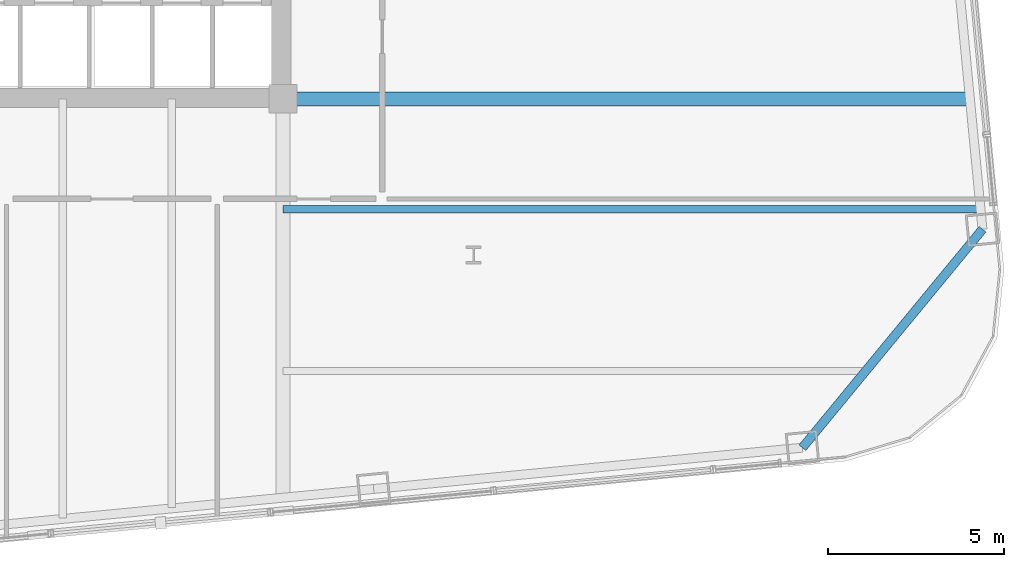
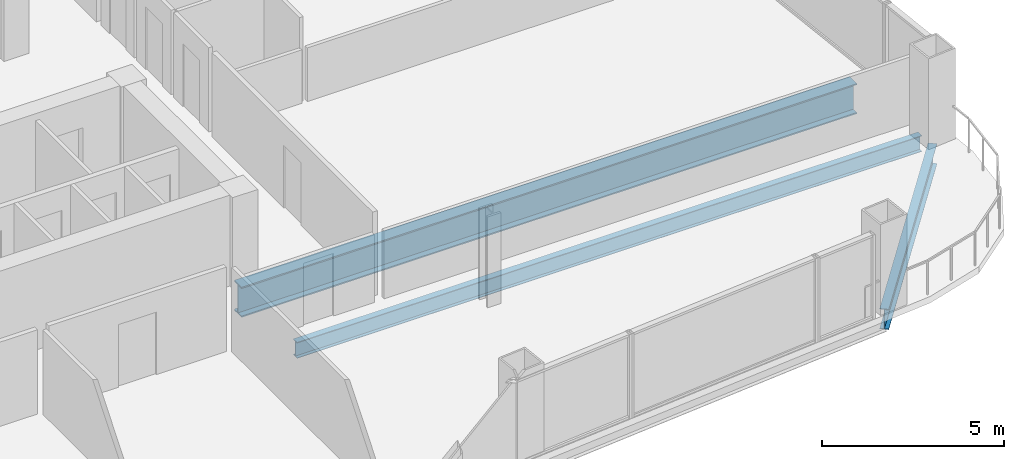
# One storey, part 11 of 28: 3 beams.
"""IFC4 building model written with IfcOpenShell, lengths in metres."""

from ifc_helpers import new_model, si_unit, direction, frame, origin, origin_2d, place, context, subcontext, project, spatial, i_section, extrude, material, material_profile, profile_set, type_object, element, save


model = new_model("IFC4")

# Units and contexts
model_context = context("Model", 3, precision=1e-05, world=origin(), true_north=direction((0.0, 1.0)))
body_context = subcontext(model_context, "Body", "Model", "MODEL_VIEW")
ifc_project = project(units=[si_unit("LENGTHUNIT", "METRE"), si_unit("AREAUNIT", "SQUARE_METRE"), si_unit("VOLUMEUNIT", "CUBIC_METRE"), si_unit("PLANEANGLEUNIT", "RADIAN"), si_unit("MASSUNIT", "GRAM", prefix="KILO")], contexts=[model_context])

# Site, building, storey
site_placement = place(None, origin())
site = spatial("IfcSite", under=ifc_project, at=site_placement, CompositionType="ELEMENT")
building_placement = place(site_placement, origin())
building = spatial("IfcBuilding", under=site, at=building_placement, Name="Qhalaya Broadcast Tower", CompositionType="ELEMENT")
storey_placement = place(building_placement, frame((0.0, 0.0, 90.800048828125)))
storey = spatial("IfcBuildingStorey", under=building, at=storey_placement, Name="L26", CompositionType="ELEMENT", Elevation=90.800048828125)

# Beams
ifc_material = material(Name="Structural Steel ASTM A992 Grade 50", Category="steel")
ifc_material_profile_1 = material_profile(ifc_material, i_section(OverallWidth=0.2099609375, OverallDepth=0.535888671875, WebThickness=0.010986328125, FlangeThickness=0.017333984375, at=origin_2d()), Name="W21X68")
ifc_profile_set_1 = profile_set([ifc_material_profile_1], Name="Structural Steel ASTM A992 Grade 50")
beam_type_1 = type_object("IfcBeamType", Name="Composite Floor Joist J02", PredefinedType="JOIST", material=ifc_profile_set_1)
beam_1_placement = place(storey_placement, frame((9.375, -11.89990234375, -0.488037109375), z_axis=(1.0, 0.0, 0.0), x_axis=(0.0, 1.0, 0.0)))
element("IfcBeam", 1, at=beam_1_placement, inside=storey, type_object=beam_type_1, Name="L26 J02 L26-JWE2E-1", PredefinedType="JOIST", context=body_context, shape_type="SweptSolid", body=[
    extrude(i_section(OverallWidth=0.2099609375, OverallDepth=0.535888671875, WebThickness=0.010986328125, FlangeThickness=0.017333984375, at=origin_2d()), origin(), (0.0, 0.0, 1.0), 19.843017578125),
])
ifc_material_profile_2 = material_profile(ifc_material, i_section(OverallWidth=0.40087890625, OverallDepth=1.010986328125, WebThickness=0.023681640625, FlangeThickness=0.0419921875, at=origin_2d()), Name="W40X297")
ifc_profile_set_2 = profile_set([ifc_material_profile_2], Name="Structural Steel ASTM A992 Grade 50")
beam_type_2 = type_object("IfcBeamType", Name="Lower Block Primary Girder PG2", PredefinedType="USERDEFINED", material=ifc_profile_set_2)
beam_2_placement = place(storey_placement, frame((9.375, -8.75, -0.7255859375), z_axis=(1.0, 0.0, 0.0), x_axis=(0.0, 1.0, 0.0)))
element("IfcBeam", 2, at=beam_2_placement, inside=storey, type_object=beam_type_2, Name="L26 PG2 L26-PGYE1-1", ObjectType="GIRDER", PredefinedType="USERDEFINED", context=body_context, shape_type="SweptSolid", body=[
    extrude(i_section(OverallWidth=0.40087890625, OverallDepth=1.010986328125, WebThickness=0.023681640625, FlangeThickness=0.0419921875, at=origin_2d()), origin(), (0.0, 0.0, 1.0), 19.539794921875),
])
ifc_material_profile_3 = material_profile(ifc_material, i_section(OverallWidth=0.25390625, OverallDepth=0.68310546875, WebThickness=0.012451171875, FlangeThickness=0.01904296875, at=origin_2d()), Name="W27X94")
ifc_profile_set_3 = profile_set([ifc_material_profile_3], Name="Structural Steel ASTM A992 Grade 50")
beam_type_3 = type_object("IfcBeamType", Name="Perimeter Ring Spandrel Beam SP1", PredefinedType="SPANDREL", material=ifc_profile_set_3)
beam_3_placement = place(storey_placement, frame((24.165283203125, -18.685546875, -0.5615234375), z_axis=(0.636052208619, 0.771646025008, 0.0), x_axis=(-0.771646025008, 0.636052208619, 0.0)))
element("IfcBeam", 3, at=beam_3_placement, inside=storey, type_object=beam_type_3, Name="L26 SP1 L26-SPR-04", PredefinedType="SPANDREL", context=body_context, shape_type="SweptSolid", body=[
    extrude(i_section(OverallWidth=0.25390625, OverallDepth=0.68310546875, WebThickness=0.012451171875, FlangeThickness=0.01904296875, at=origin_2d()), origin(), (0.0, 0.0, 1.0), 8.06103515625),
])

save(model, "model.ifc")
